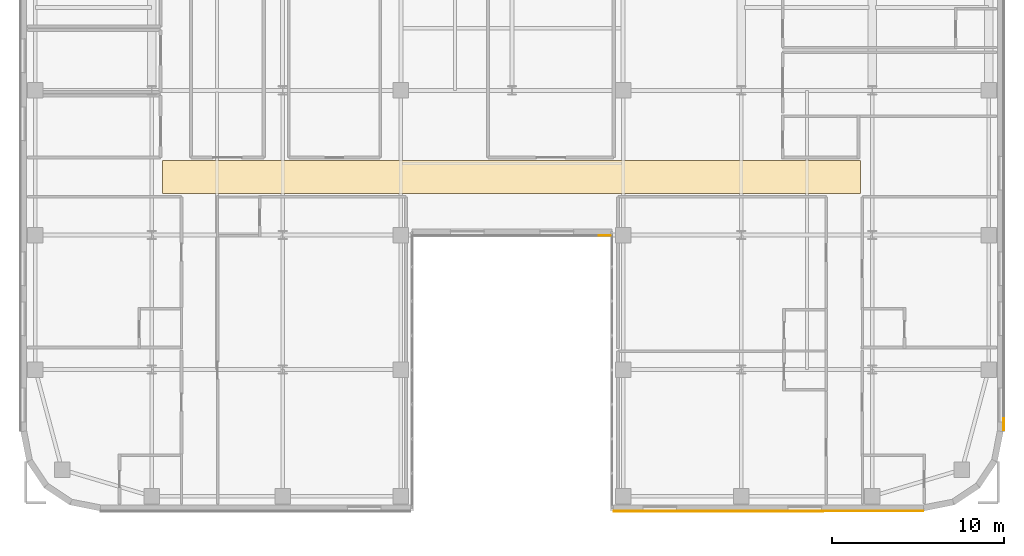
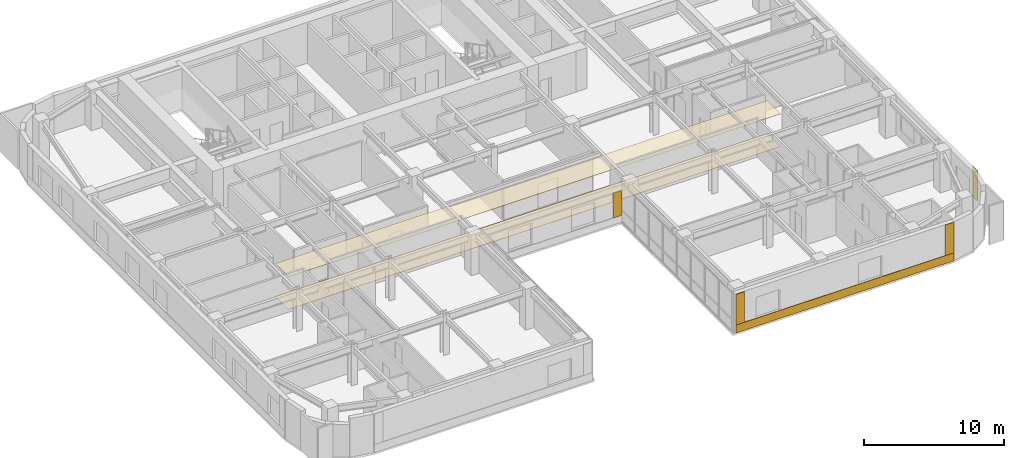
# One storey, part 20 of 24: 7 coverings.
"""IFC4 building model written with IfcOpenShell, lengths in metres."""

from ifc_helpers import new_model, si_unit, direction, frame, origin, place, context, subcontext, project, spatial, polyline, outline, extrude, material, layer, layer_set, type_object, element, save


model = new_model("IFC4")

# Units and contexts
model_context = context("Model", 3, precision=1e-05, world=origin(), true_north=direction((0.0, 1.0)))
body_context = subcontext(model_context, "Body", "Model", "MODEL_VIEW")
ifc_project = project(units=[si_unit("LENGTHUNIT", "METRE"), si_unit("AREAUNIT", "SQUARE_METRE"), si_unit("VOLUMEUNIT", "CUBIC_METRE"), si_unit("PLANEANGLEUNIT", "RADIAN"), si_unit("MASSUNIT", "GRAM", prefix="KILO")], contexts=[model_context])

# Site, building, storey
site_placement = place(None, origin())
site = spatial("IfcSite", under=ifc_project, at=site_placement, CompositionType="ELEMENT")
building_placement = place(site_placement, origin())
building = spatial("IfcBuilding", under=site, at=building_placement, Name="Tolvann Quenvar Hotel", CompositionType="ELEMENT")
storey_placement = place(building_placement, frame((0.0, 0.0, 88.800048828125)))
storey = spatial("IfcBuildingStorey", under=building, at=storey_placement, Name="L22", CompositionType="ELEMENT", Elevation=88.800048828125)

# Coverings
ifc_material_1 = material(Name="Micro-perforated acoustic mineral-fibre and timber-batten suspended ceiling", Category="wood")
ifc_layer_1 = layer(ifc_material_1, 0.0400390625)
ifc_layer_set_1 = layer_set([ifc_layer_1], Name="Micro-perforated acoustic mineral-fibre and timber-batten suspended ceiling")
covering_type_1 = type_object("IfcCoveringType", Name="COV_CEIL_ACOUSTIC_40", PredefinedType="CEILING", material=ifc_layer_set_1)
covering_1_placement = place(storey_placement, frame((0.0, 0.0, 2.829833984375)))
element("IfcCovering", 1, at=covering_1_placement, inside=storey, type_object=covering_type_1, Name="Suspended Acoustic Ceiling (Hotel Guest Corridor L22)", PredefinedType="CEILING", context=body_context, shape_type="SweptSolid", body=[
    extrude(outline(polyline([(8.219970703125, 18.419921875), (48.72998046875, 18.419921875), (48.72998046875, 20.330078125), (8.219970703125, 20.330078125), (8.219970703125, 18.419921875)])), origin(), (0.0, 0.0, 1.0), 0.0400390625),
])
ifc_material_2 = material(Name="Kiln-fired red architectural face brick cladding", Category="masonry")
ifc_layer_2 = layer(ifc_material_2, 0.0400390625)
ifc_layer_set_2 = layer_set([ifc_layer_2], Name="Kiln-fired red architectural face brick cladding")
covering_type_2 = type_object("IfcCoveringType", Name="COV_CLAD_BRICK_40", PredefinedType="CLADDING", material=ifc_layer_set_2)
covering_2_placement = place(storey_placement, frame((0.0, 0.0, 0.6044921875)))
element("IfcCovering", 2, at=covering_2_placement, inside=storey, type_object=covering_type_2, Name="Brick Pier Cladding (L22-E06-P2)", PredefinedType="CLADDING", context=body_context, shape_type="SweptSolid", body=[
    extrude(outline(polyline([(33.5400390625, 16.0), (34.239990234375, 16.0), (34.239990234375, 15.9599609375), (33.5400390625, 15.9599609375), (33.5400390625, 16.0)])), origin(), (0.0, 0.0, 1.0), 2.1435546875),
])
covering_3_placement = place(storey_placement, frame((0.0, 0.0, 0.699951171875)))
element("IfcCovering", 3, at=covering_3_placement, inside=storey, type_object=covering_type_2, Name="Brick Pier Cladding (L22-E08-P1)", PredefinedType="CLADDING", context=body_context, shape_type="SweptSolid", body=[
    extrude(outline(polyline([(34.425048828125, 0.0), (35.125, 0.0), (35.125, -0.0400390625), (34.425048828125, -0.0400390625), (34.425048828125, 0.0)])), origin(), (0.0, 0.0, 1.0), 2.669921875),
])
covering_4_placement = place(storey_placement, frame((0.0, 0.0, 0.699951171875)))
element("IfcCovering", 4, at=covering_4_placement, inside=storey, type_object=covering_type_2, Name="Brick Pier Cladding (L22-E08-P2)", PredefinedType="CLADDING", context=body_context, shape_type="SweptSolid", body=[
    extrude(outline(polyline([(51.6328125, 0.0), (52.332763671875, 0.0), (52.332763671875, -0.0400390625), (51.6328125, -0.0400390625), (51.6328125, 0.0)])), origin(), (0.0, 0.0, 1.0), 2.669921875),
])
covering_5_placement = place(storey_placement, frame((0.0, 0.0, 0.699951171875)))
element("IfcCovering", 5, at=covering_5_placement, inside=storey, type_object=covering_type_2, Name="Brick Pier Cladding (L22-E13-P1)", PredefinedType="CLADDING", context=body_context, shape_type="SweptSolid", body=[
    extrude(outline(polyline([(57.0, 4.667236328125), (57.0, 5.3671875), (57.0400390625, 5.3671875), (57.0400390625, 4.667236328125), (57.0, 4.667236328125)])), origin(), (0.0, 0.0, 1.0), 2.669921875),
])
ifc_material_3 = material(Name="Moulded buff architectural terracotta spandrel cladding", Category="masonry")
ifc_layer_3 = layer(ifc_material_3, 0.0400390625)
ifc_layer_set_3 = layer_set([ifc_layer_3], Name="Moulded buff architectural terracotta spandrel cladding")
covering_type_3 = type_object("IfcCoveringType", Name="COV_CLAD_TERRA_40", PredefinedType="CLADDING", material=ifc_layer_set_3)
covering_6_placement = place(storey_placement, origin())
element("IfcCovering", 6, at=covering_6_placement, inside=storey, type_object=covering_type_3, Name="Terracotta Spandrel Cladding (L22-E08)", PredefinedType="CLADDING", context=body_context, shape_type="SweptSolid", body=[
    extrude(outline(polyline([(34.4150390625, 0.0), (52.3427734375, 0.0), (52.3427734375, -0.0400390625), (34.4150390625, -0.0400390625), (34.4150390625, 0.0)])), origin(), (0.0, 0.0, 1.0), 0.699951171875),
])
ifc_material_4 = material(Name="Honed Australian bluestone, terrazzo and engineered oak flooring", Category="masonry")
ifc_layer_4 = layer(ifc_material_4, 0.02001953125)
ifc_layer_set_4 = layer_set([ifc_layer_4], Name="Honed Australian bluestone, terrazzo and engineered oak flooring")
covering_type_4 = type_object("IfcCoveringType", Name="COV_FLOOR_STONE_20", PredefinedType="FLOORING", material=ifc_layer_set_4)
covering_7_placement = place(storey_placement, origin())
element("IfcCovering", 7, at=covering_7_placement, inside=storey, type_object=covering_type_4, Name="Architectural Floor Finish (Hotel Guest Corridor L22)", PredefinedType="FLOORING", context=body_context, shape_type="SweptSolid", body=[
    extrude(outline(polyline([(8.219970703125, 18.419921875), (48.72998046875, 18.419921875), (48.72998046875, 20.330078125), (8.219970703125, 20.330078125), (8.219970703125, 18.419921875)])), origin(), (0.0, 0.0, 1.0), 0.02001953125),
])

save(model, "model.ifc")
